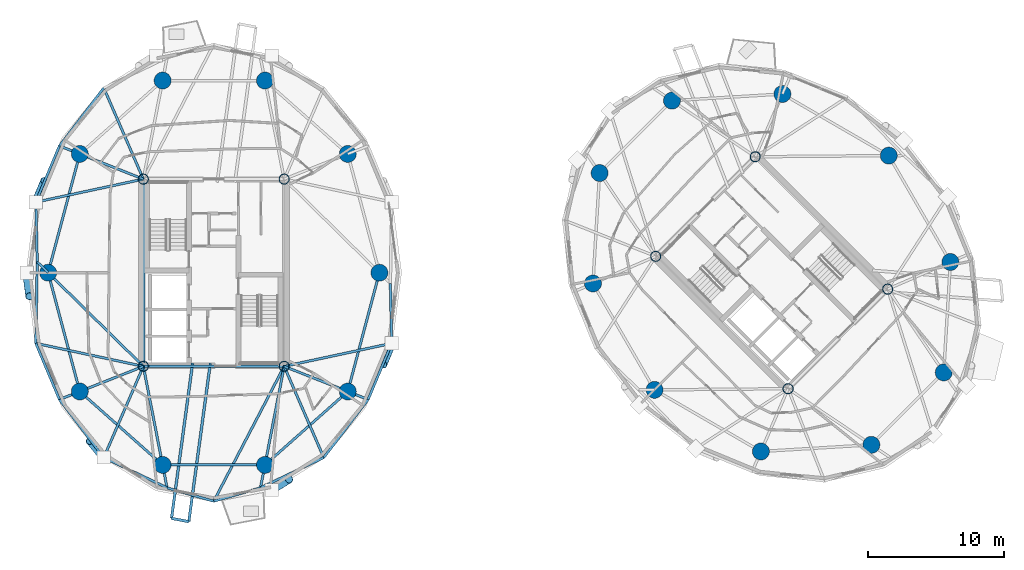
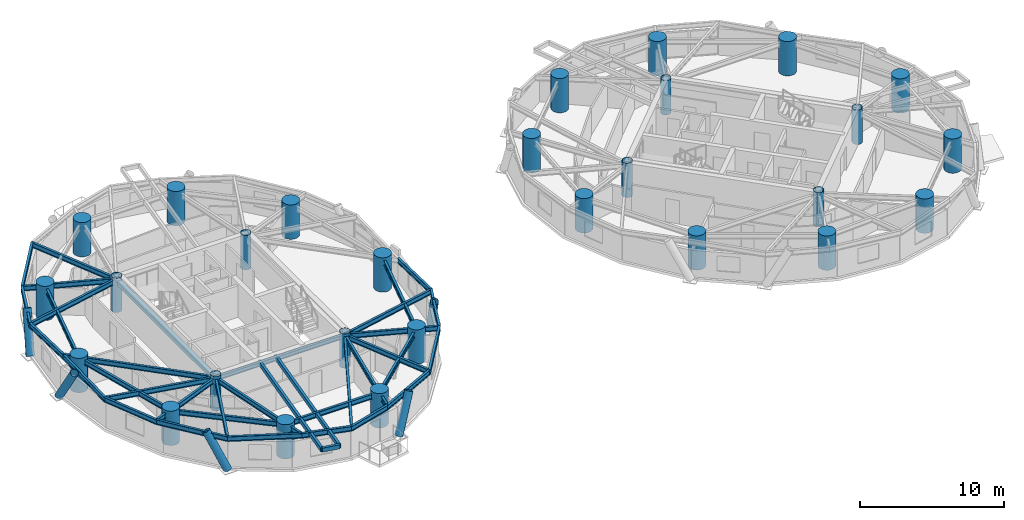
# One storey, part 1 of 18: 38 beams, 28 columns, 5 members.
"""IFC4 building model written with IfcOpenShell, lengths in metres."""

from ifc_helpers import new_model, si_unit, direction, frame, origin, origin_2d, place, context, subcontext, project, spatial, hollow_rectangle, circle, hollow_circle, i_section, extrude, material, material_profile, profile_set, type_object, element, save


model = new_model("IFC4")

# Units and contexts
model_context = context("Model", 3, precision=1e-05, world=origin(), true_north=direction((0.0, 1.0)))
body_context = subcontext(model_context, "Body", "Model", "MODEL_VIEW")
ifc_project = project(units=[si_unit("LENGTHUNIT", "METRE"), si_unit("AREAUNIT", "SQUARE_METRE"), si_unit("VOLUMEUNIT", "CUBIC_METRE"), si_unit("PLANEANGLEUNIT", "RADIAN"), si_unit("MASSUNIT", "GRAM", prefix="KILO")], contexts=[model_context])

# Site, building, storey
site_placement = place(None, origin())
site = spatial("IfcSite", under=ifc_project, at=site_placement, CompositionType="ELEMENT")
building_placement = place(site_placement, origin())
building = spatial("IfcBuilding", under=site, at=building_placement, Name="Cununo Teusaquillo Station Towers", CompositionType="ELEMENT")
storey_placement = place(building_placement, frame((0.0, 0.0, 169.06005859375)))
storey = spatial("IfcBuildingStorey", under=building, at=storey_placement, Name="L53", CompositionType="ELEMENT", Elevation=169.06005859375)

# Columns
ifc_material_1 = material(Name="Steel EN 10025-2 S355J2", Category="steel")
ifc_material_profile_1 = material_profile(ifc_material_1, hollow_circle(Radius=0.3798828125, WallThickness=0.031982421875, at=origin_2d()), Name="CHS 760x32")
ifc_profile_set_1 = profile_set([ifc_material_profile_1], Name="Steel EN 10025-2 S355J2")
column_type_1 = type_object("IfcColumnType", Name="COL-CORE-Z2", PredefinedType="COLUMN", material=ifc_profile_set_1)
for number, where, z_axis, x_axis, name in (
    (1, (11.324951171875, 17.6201171875, 0.0), (0.0, 0.0, 1.0), (1.0, 0.0, 0.0), "L53 Tower A Core Column 1"),
    (2, (11.324951171875, 31.3798828125, 0.0), (0.0, 0.0, 1.0), (1.0, 0.0, 0.0), "L53 Tower A Core Column 2"),
    (3, (21.675048828125, 17.6201171875, 0.0), (0.0, 0.0, 1.0), (1.0, 0.0, 0.0), "L53 Tower A Core Column 3"),
    (4, (21.675048828125, 31.3798828125, 0.0), (0.0, 0.0, 1.0), (1.0, 0.0, 0.0), "L53 Tower A Core Column 4"),
    (5, (58.70556640625, 15.975830078125, 0.0), (0.0, 0.0, 1.0), (0.707106781187, 0.707106781187, 0.0), "L53 Tower B Core Column 1"),
    (6, (48.975830078125, 25.70556640625, 0.0), (0.0, 0.0, 1.0), (0.707106781187, 0.707106781187, 0.0), "L53 Tower B Core Column 2"),
    (7, (66.024169921875, 23.29443359375, 0.0), (0.0, 0.0, 1.0), (0.707106781187, 0.707106781187, 0.0), "L53 Tower B Core Column 3"),
    (8, (56.29443359375, 33.024169921875, 0.0), (0.0, 0.0, 1.0), (0.707106781187, 0.707106781187, 0.0), "L53 Tower B Core Column 4"),
):
    element("IfcColumn", number, at=place(storey_placement, frame(where, z_axis=z_axis, x_axis=x_axis)), inside=storey, type_object=column_type_1, Name=name, PredefinedType="COLUMN", context=body_context, shape_type="SweptSolid", body=[
        extrude(hollow_circle(Radius=0.3798828125, WallThickness=0.031982421875, at=origin_2d()), origin(), (0.0, 0.0, 1.0), 2.909912109375),
    ])
ifc_material_2 = material(Name="Concrete C60/75", Category="concrete")
ifc_material_profile_2 = material_profile(ifc_material_2, circle(Radius=0.625, at=origin_2d()), Name="RC-CIRC-1250")
ifc_profile_set_2 = profile_set([ifc_material_profile_2], Name="Concrete C60/75")
column_type_2 = type_object("IfcColumnType", Name="COL-MEGA-Z3", PredefinedType="USERDEFINED", material=ifc_profile_set_2)
for number, where, z_axis, x_axis, name in (
    (9, (28.672119140625, 24.5, 0.0), (0.0, 0.0, 1.0), (1.0, 0.0, 0.0), "L53 Tower A Perimeter Column V00"),
    (10, (26.347412109375, 33.228515625, 0.0), (0.0, 0.0, 1.0), (1.0, 0.0, 0.0), "L53 Tower A Perimeter Column V02"),
    (11, (20.261474609375, 38.623291015625, 0.0), (0.0, 0.0, 1.0), (1.0, 0.0, 0.0), "L53 Tower A Perimeter Column V04"),
    (12, (12.738525390625, 38.623291015625, 0.0), (0.0, 0.0, 1.0), (1.0, 0.0, 0.0), "L53 Tower A Perimeter Column V06"),
    (13, (6.652587890625, 33.228515625, 0.0), (0.0, 0.0, 1.0), (1.0, 0.0, 0.0), "L53 Tower A Perimeter Column V08"),
    (14, (4.327880859375, 24.5, 0.0), (0.0, 0.0, 1.0), (1.0, 0.0, 0.0), "L53 Tower A Perimeter Column V10"),
    (15, (6.652587890625, 15.771484375, 0.0), (0.0, 0.0, 1.0), (1.0, 0.0, 0.0), "L53 Tower A Perimeter Column V12"),
    (16, (12.738525390625, 10.376708984375, 0.0), (0.0, 0.0, 1.0), (1.0, 0.0, 0.0), "L53 Tower A Perimeter Column V14"),
    (17, (20.261474609375, 10.376708984375, 0.0), (0.0, 0.0, 1.0), (1.0, 0.0, 0.0), "L53 Tower A Perimeter Column V16"),
    (18, (26.347412109375, 15.771484375, 0.0), (0.0, 0.0, 1.0), (1.0, 0.0, 0.0), "L53 Tower A Perimeter Column V18"),
    (19, (66.10693359375, 33.10693359375, 0.0), (0.0, 0.0, 1.0), (1.0, 0.0, 0.0), "L53 Tower B Perimeter Column V00"),
    (20, (58.291015625, 37.63525390625, 0.0), (0.0, 0.0, 1.0), (1.0, 0.0, 0.0), "L53 Tower B Perimeter Column V02"),
    (21, (50.173095703125, 37.146240234375, 0.0), (0.0, 0.0, 1.0), (1.0, 0.0, 0.0), "L53 Tower B Perimeter Column V04"),
    (22, (44.853759765625, 31.826904296875, 0.0), (0.0, 0.0, 1.0), (1.0, 0.0, 0.0), "L53 Tower B Perimeter Column V06"),
    (23, (44.36474609375, 23.708984375, 0.0), (0.0, 0.0, 1.0), (1.0, 0.0, 0.0), "L53 Tower B Perimeter Column V08"),
    (24, (48.89306640625, 15.89306640625, 0.0), (0.0, 0.0, 1.0), (1.0, 0.0, 0.0), "L53 Tower B Perimeter Column V10"),
    (25, (56.708984375, 11.36474609375, 0.0), (0.0, 0.0, 1.0), (1.0, 0.0, 0.0), "L53 Tower B Perimeter Column V12"),
    (26, (64.826904296875, 11.853759765625, 0.0), (0.0, 0.0, 1.0), (1.0, 0.0, 0.0), "L53 Tower B Perimeter Column V14"),
    (27, (70.146240234375, 17.173095703125, 0.0), (0.0, 0.0, 1.0), (1.0, 0.0, 0.0), "L53 Tower B Perimeter Column V16"),
    (28, (70.63525390625, 25.291015625, 0.0), (0.0, 0.0, 1.0), (1.0, 0.0, 0.0), "L53 Tower B Perimeter Column V18"),
):
    element("IfcColumn", number, at=place(storey_placement, frame(where, z_axis=z_axis, x_axis=x_axis)), inside=storey, type_object=column_type_2, Name=name, ObjectType="MEGA COLUMN", PredefinedType="USERDEFINED", context=body_context, shape_type="SweptSolid", body=[
        extrude(circle(Radius=0.625, at=origin_2d()), origin(), (0.0, 0.0, 1.0), 2.909912109375),
    ])

# Beams
ifc_material_3 = material(Name="Steel EN 10025-2 S355J2", Category="steel")
ifc_material_profile_3 = material_profile(ifc_material_3, hollow_rectangle(XDim=0.199951171875, YDim=0.35009765625, WallThickness=0.013916015625, at=origin_2d()), Name="RHS 350x200x14")
ifc_profile_set_3 = profile_set([ifc_material_profile_3], Name="Steel EN 10025-2 S355J2")
beam_type_1 = type_object("IfcBeamType", Name="BM-BAL-CANT", PredefinedType="BEAM", material=ifc_profile_set_3)
beam_1_placement = place(storey_placement, frame((14.94482421875, 17.85009765625, 2.514892578125), z_axis=(-0.134626438315, -0.990896423501, 0.0), x_axis=(0.990896423501, -0.134626438315, 0.0)))
element("IfcBeam", 29, at=beam_1_placement, inside=storey, type_object=beam_type_1, Name="L53 Tower A Balcony Cantilever Bracket 2A", PredefinedType="BEAM", context=body_context, shape_type="SweptSolid", body=[
    extrude(hollow_rectangle(XDim=0.199951171875, YDim=0.35009765625, WallThickness=0.013916015625, at=origin_2d()), origin(), (0.0, 0.0, 1.0), 11.504638671875),
])
beam_2_placement = place(storey_placement, frame((16.248046875, 17.85009765625, 2.514892578125), z_axis=(-0.134615370715, -0.990897927118, 0.0), x_axis=(0.990897927118, -0.134615370715, 0.0)))
element("IfcBeam", 30, at=beam_2_placement, inside=storey, type_object=beam_type_1, Name="L53 Tower A Balcony Cantilever Bracket 2B", PredefinedType="BEAM", context=body_context, shape_type="SweptSolid", body=[
    extrude(hollow_rectangle(XDim=0.199951171875, YDim=0.35009765625, WallThickness=0.013916015625, at=origin_2d()), origin(), (0.0, 0.0, 1.0), 11.752197265625),
])
ifc_material_4 = material(Name="Steel EN 10025-2 S355J2", Category="steel")
ifc_material_profile_4 = material_profile(ifc_material_4, hollow_rectangle(XDim=0.25, YDim=0.449951171875, WallThickness=0.01611328125, at=origin_2d()), Name="RHS 450x250x16")
ifc_profile_set_4 = profile_set([ifc_material_profile_4], Name="Steel EN 10025-2 S355J2")
beam_type_2 = type_object("IfcBeamType", Name="BM-COUP-1", PredefinedType="USERDEFINED", material=ifc_profile_set_4)
beam_3_placement = place(storey_placement, frame((11.324951171875, 17.6201171875, 2.46484375), z_axis=(0.0, 1.0, 0.0), x_axis=(-1.0, 0.0, 0.0)))
element("IfcBeam", 31, at=beam_3_placement, inside=storey, type_object=beam_type_2, Name="L53 Tower A Core Beam 1", ObjectType="COUPLING BEAM", PredefinedType="USERDEFINED", context=body_context, shape_type="SweptSolid", body=[
    extrude(hollow_rectangle(XDim=0.25, YDim=0.449951171875, WallThickness=0.01611328125, at=origin_2d()), origin(), (0.0, 0.0, 1.0), 13.759765625),
])
ifc_material_5 = material(Name="Steel ASTM A572 Grade 50", Category="steel")
ifc_material_profile_5 = material_profile(ifc_material_5, i_section(OverallWidth=0.180908203125, OverallDepth=0.4169921875, WebThickness=0.010986328125, FlangeThickness=0.018310546875, FilletRadius=0.012939453125, at=origin_2d()), Name="W16X57")
ifc_profile_set_5 = profile_set([ifc_material_profile_5], Name="Steel ASTM A572 Grade 50")
beam_type_3 = type_object("IfcBeamType", Name="BM-JOIST-1", PredefinedType="JOIST", material=ifc_profile_set_5)
beam_4_placement = place(storey_placement, frame((11.324951171875, 31.3798828125, 2.4814453125), z_axis=(-0.397903718051, 0.917427180304, 0.0), x_axis=(-0.917427180304, -0.397903718051, 0.0)))
element("IfcBeam", 32, at=beam_4_placement, inside=storey, type_object=beam_type_3, Name="L53 Tower A Radial Spandrel Joist V07", PredefinedType="JOIST", context=body_context, shape_type="SweptSolid", body=[
    extrude(i_section(OverallWidth=0.180908203125, OverallDepth=0.4169921875, WebThickness=0.010986328125, FlangeThickness=0.018310546875, FilletRadius=0.012939453125, at=origin_2d()), origin(), (0.0, 0.0, 1.0), 7.306884765625),
])
for number, where, z_axis, x_axis, name in (
    (33, (11.324951171875, 31.3798828125, 2.4814453125), (-0.977854548984, -0.209285644589, 0.0), (0.209285644589, -0.977854548984, 0.0), "L53 Tower A Radial Spandrel Joist V09"),
    (34, (11.324951171875, 17.6201171875, 2.4814453125), (-0.977854548984, 0.209285644589, 0.0), (-0.209285644589, -0.977854548984, 0.0), "L53 Tower A Radial Spandrel Joist V11"),
):
    element("IfcBeam", number, at=place(storey_placement, frame(where, z_axis=z_axis, x_axis=x_axis)), inside=storey, type_object=beam_type_3, Name=name, PredefinedType="JOIST", context=body_context, shape_type="SweptSolid", body=[
        extrude(i_section(OverallWidth=0.180908203125, OverallDepth=0.4169921875, WebThickness=0.010986328125, FlangeThickness=0.018310546875, FilletRadius=0.012939453125, at=origin_2d()), origin(), (0.0, 0.0, 1.0), 8.081787109375),
    ])
beam_5_placement = place(storey_placement, frame((11.324951171875, 17.6201171875, 2.4814453125), z_axis=(-0.397903718051, -0.917427180304, 0.0), x_axis=(0.917427180304, -0.397903718051, 0.0)))
element("IfcBeam", 35, at=beam_5_placement, inside=storey, type_object=beam_type_3, Name="L53 Tower A Radial Spandrel Joist V13", PredefinedType="JOIST", context=body_context, shape_type="SweptSolid", body=[
    extrude(i_section(OverallWidth=0.180908203125, OverallDepth=0.4169921875, WebThickness=0.010986328125, FlangeThickness=0.018310546875, FilletRadius=0.012939453125, at=origin_2d()), origin(), (0.0, 0.0, 1.0), 7.306884765625),
])
beam_6_placement = place(storey_placement, frame((21.675048828125, 17.6201171875, 2.4814453125), z_axis=(-0.462884645231, -0.886418527113, 0.0), x_axis=(0.886418527113, -0.462884645231, 0.0)))
element("IfcBeam", 36, at=beam_6_placement, inside=storey, type_object=beam_type_3, Name="L53 Tower A Radial Spandrel Joist V15", PredefinedType="JOIST", context=body_context, shape_type="SweptSolid", body=[
    extrude(i_section(OverallWidth=0.180908203125, OverallDepth=0.4169921875, WebThickness=0.010986328125, FlangeThickness=0.018310546875, FilletRadius=0.012939453125, at=origin_2d()), origin(), (0.0, 0.0, 1.0), 11.179931640625),
])
beam_7_placement = place(storey_placement, frame((21.675048828125, 17.6201171875, 2.4814453125), z_axis=(0.397903718051, -0.917427180304, 0.0), x_axis=(0.917427180304, 0.397903718051, 0.0)))
element("IfcBeam", 37, at=beam_7_placement, inside=storey, type_object=beam_type_3, Name="L53 Tower A Radial Spandrel Joist V17", PredefinedType="JOIST", context=body_context, shape_type="SweptSolid", body=[
    extrude(i_section(OverallWidth=0.180908203125, OverallDepth=0.4169921875, WebThickness=0.010986328125, FlangeThickness=0.018310546875, FilletRadius=0.012939453125, at=origin_2d()), origin(), (0.0, 0.0, 1.0), 7.306884765625),
])
beam_8_placement = place(storey_placement, frame((21.675048828125, 17.6201171875, 2.4814453125), z_axis=(0.977854548984, 0.209285644589, 0.0), x_axis=(-0.209285644589, 0.977854548984, 0.0)))
element("IfcBeam", 38, at=beam_8_placement, inside=storey, type_object=beam_type_3, Name="L53 Tower A Radial Spandrel Joist V19", PredefinedType="JOIST", context=body_context, shape_type="SweptSolid", body=[
    extrude(i_section(OverallWidth=0.180908203125, OverallDepth=0.4169921875, WebThickness=0.010986328125, FlangeThickness=0.018310546875, FilletRadius=0.012939453125, at=origin_2d()), origin(), (0.0, 0.0, 1.0), 8.081787109375),
])
ifc_material_6 = material(Name="Steel ASTM A572 Grade 50", Category="steel")
ifc_material_profile_6 = material_profile(ifc_material_6, i_section(OverallWidth=0.2041015625, OverallDepth=0.35009765625, WebThickness=0.008544921875, FlangeThickness=0.01513671875, FilletRadius=0.011962890625, at=origin_2d()), Name="W14X48")
ifc_profile_set_6 = profile_set([ifc_material_profile_6], Name="Steel ASTM A572 Grade 50")
beam_type_4 = type_object("IfcBeamType", Name="BM-LINTEL-1", PredefinedType="LINTEL", material=ifc_profile_set_6)
beam_9_placement = place(storey_placement, frame((11.324951171875, 17.6201171875, 2.514892578125), z_axis=(1.0, 0.0, 0.0), x_axis=(0.0, 1.0, 0.0)))
element("IfcBeam", 39, at=beam_9_placement, inside=storey, type_object=beam_type_4, Name="L53 Tower A Core Beam 3", PredefinedType="LINTEL", context=body_context, shape_type="SweptSolid", body=[
    extrude(i_section(OverallWidth=0.2041015625, OverallDepth=0.35009765625, WebThickness=0.008544921875, FlangeThickness=0.01513671875, FilletRadius=0.011962890625, at=origin_2d()), origin(), (0.0, 0.0, 1.0), 10.35009765625),
])
ifc_material_7 = material(Name="Steel ASTM A572 Grade 50", Category="steel")
ifc_material_profile_7 = material_profile(ifc_material_7, i_section(OverallWidth=0.180908203125, OverallDepth=0.4169921875, WebThickness=0.010986328125, FlangeThickness=0.018310546875, FilletRadius=0.012939453125, at=origin_2d()), Name="W16X57")
ifc_profile_set_7 = profile_set([ifc_material_profile_7], Name="Steel ASTM A572 Grade 50")
beam_type_5 = type_object("IfcBeamType", Name="BM-RAD-G2", PredefinedType="BEAM", material=ifc_profile_set_7)
beam_10_placement = place(storey_placement, frame((11.324951171875, 31.3798828125, 2.4814453125), z_axis=(-0.929866438974, 0.367897275974, 0.0), x_axis=(-0.367897275974, -0.929866438974, 0.0)))
element("IfcBeam", 40, at=beam_10_placement, inside=storey, type_object=beam_type_5, Name="L53 Tower A Continuous Overhanging Radial Girder 05", PredefinedType="BEAM", context=body_context, shape_type="SweptSolid", body=[
    extrude(i_section(OverallWidth=0.180908203125, OverallDepth=0.4169921875, WebThickness=0.010986328125, FlangeThickness=0.018310546875, FilletRadius=0.012939453125, at=origin_2d()), origin(), (0.0, 0.0, 1.0), 6.632080078125),
])
beam_11_placement = place(storey_placement, frame((11.324951171875, 17.6201171875, 2.4814453125), z_axis=(-0.713052701438, 0.701110437073, 0.0), x_axis=(-0.701110437073, -0.713052701438, 0.0)))
element("IfcBeam", 41, at=beam_11_placement, inside=storey, type_object=beam_type_5, Name="L53 Tower A Radial Girder 06A", PredefinedType="BEAM", context=body_context, shape_type="SweptSolid", body=[
    extrude(i_section(OverallWidth=0.180908203125, OverallDepth=0.4169921875, WebThickness=0.010986328125, FlangeThickness=0.018310546875, FilletRadius=0.012939453125, at=origin_2d()), origin(), (0.0, 0.0, 1.0), 9.812744140625),
])
beam_12_placement = place(storey_placement, frame((4.327880859375, 24.5, 2.4814453125), z_axis=(-0.713045362701, 0.701117900734, 0.0), x_axis=(-0.701117900734, -0.713045362701, 0.0)))
element("IfcBeam", 42, at=beam_12_placement, inside=storey, type_object=beam_type_5, Name="L53 Tower A Perimeter Overhang Girder 06B", PredefinedType="BEAM", context=body_context, shape_type="SweptSolid", body=[
    extrude(i_section(OverallWidth=0.180908203125, OverallDepth=0.4169921875, WebThickness=0.010986328125, FlangeThickness=0.018310546875, FilletRadius=0.012939453125, at=origin_2d()), origin(), (0.0, 0.0, 1.0), 1.125732421875),
])
beam_13_placement = place(storey_placement, frame((11.324951171875, 17.6201171875, 2.4814453125), z_axis=(-0.929866438974, -0.367897275974, 0.0), x_axis=(0.367897275974, -0.929866438974, 0.0)))
element("IfcBeam", 43, at=beam_13_placement, inside=storey, type_object=beam_type_5, Name="L53 Tower A Continuous Overhanging Radial Girder 07", PredefinedType="BEAM", context=body_context, shape_type="SweptSolid", body=[
    extrude(i_section(OverallWidth=0.180908203125, OverallDepth=0.4169921875, WebThickness=0.010986328125, FlangeThickness=0.018310546875, FilletRadius=0.012939453125, at=origin_2d()), origin(), (0.0, 0.0, 1.0), 6.632080078125),
])
for number, where, z_axis, x_axis, name in (
    (44, (11.324951171875, 17.6201171875, 2.4814453125), (0.191557018874, -0.981481486591, 0.0), (0.981481486591, 0.191557018874, 0.0), "L53 Tower A Continuous Overhanging Radial Girder 08"),
    (45, (21.675048828125, 17.6201171875, 2.4814453125), (-0.191557018874, -0.981481486591, 0.0), (0.981481486591, -0.191557018874, 0.0), "L53 Tower A Continuous Overhanging Radial Girder 09"),
):
    element("IfcBeam", number, at=place(storey_placement, frame(where, z_axis=z_axis, x_axis=x_axis)), inside=storey, type_object=beam_type_5, Name=name, PredefinedType="BEAM", context=body_context, shape_type="SweptSolid", body=[
        extrude(i_section(OverallWidth=0.180908203125, OverallDepth=0.4169921875, WebThickness=0.010986328125, FlangeThickness=0.018310546875, FilletRadius=0.012939453125, at=origin_2d()), origin(), (0.0, 0.0, 1.0), 9.097412109375),
    ])
beam_14_placement = place(storey_placement, frame((21.675048828125, 17.6201171875, 2.4814453125), z_axis=(0.929866438974, -0.367897275974, 0.0), x_axis=(0.367897275974, 0.929866438974, 0.0)))
element("IfcBeam", 46, at=beam_14_placement, inside=storey, type_object=beam_type_5, Name="L53 Tower A Continuous Overhanging Radial Girder 10", PredefinedType="BEAM", context=body_context, shape_type="SweptSolid", body=[
    extrude(i_section(OverallWidth=0.180908203125, OverallDepth=0.4169921875, WebThickness=0.010986328125, FlangeThickness=0.018310546875, FilletRadius=0.012939453125, at=origin_2d()), origin(), (0.0, 0.0, 1.0), 6.632080078125),
])
ifc_material_8 = material(Name="Steel ASTM A572 Grade 50", Category="steel")
ifc_material_profile_8 = material_profile(ifc_material_8, i_section(OverallWidth=0.180908203125, OverallDepth=0.4169921875, WebThickness=0.010986328125, FlangeThickness=0.018310546875, FilletRadius=0.012939453125, at=origin_2d()), Name="W16X57")
ifc_profile_set_8 = profile_set([ifc_material_profile_8], Name="Steel ASTM A572 Grade 50")
beam_type_6 = type_object("IfcBeamType", Name="BM-RING-Z3", PredefinedType="SPANDREL", material=ifc_profile_set_8)
for number, where, z_axis, x_axis, name in (
    (47, (6.652587890625, 33.228515625, 2.4814453125), (-0.257363196347, -0.966314744359, 0.0), (0.966314744359, -0.257363196347, 0.0), "L53 Tower A Structural Column Ring Girder 05"),
    (48, (4.327880859375, 24.5, 2.4814453125), (0.257363196347, -0.966314744359, 0.0), (0.966314744359, 0.257363196347, 0.0), "L53 Tower A Structural Column Ring Girder 06"),
):
    element("IfcBeam", number, at=place(storey_placement, frame(where, z_axis=z_axis, x_axis=x_axis)), inside=storey, type_object=beam_type_6, Name=name, PredefinedType="SPANDREL", context=body_context, shape_type="SweptSolid", body=[
        extrude(i_section(OverallWidth=0.180908203125, OverallDepth=0.4169921875, WebThickness=0.010986328125, FlangeThickness=0.018310546875, FilletRadius=0.012939453125, at=origin_2d()), origin(), (0.0, 0.0, 1.0), 9.03271484375),
    ])
beam_15_placement = place(storey_placement, frame((6.652587890625, 15.771484375, 2.4814453125), z_axis=(0.74832120039, -0.66333655187, 0.0), x_axis=(0.66333655187, 0.74832120039, 0.0)))
element("IfcBeam", 49, at=beam_15_placement, inside=storey, type_object=beam_type_6, Name="L53 Tower A Structural Column Ring Girder 07", PredefinedType="SPANDREL", context=body_context, shape_type="SweptSolid", body=[
    extrude(i_section(OverallWidth=0.180908203125, OverallDepth=0.4169921875, WebThickness=0.010986328125, FlangeThickness=0.018310546875, FilletRadius=0.012939453125, at=origin_2d()), origin(), (0.0, 0.0, 1.0), 8.1328125),
])
beam_16_placement = place(storey_placement, frame((12.738525390625, 10.376708984375, 2.4814453125), z_axis=(1.0, 0.0, 0.0), x_axis=(0.0, 1.0, 0.0)))
element("IfcBeam", 50, at=beam_16_placement, inside=storey, type_object=beam_type_6, Name="L53 Tower A Structural Column Ring Girder 08", PredefinedType="SPANDREL", context=body_context, shape_type="SweptSolid", body=[
    extrude(i_section(OverallWidth=0.180908203125, OverallDepth=0.4169921875, WebThickness=0.010986328125, FlangeThickness=0.018310546875, FilletRadius=0.012939453125, at=origin_2d()), origin(), (0.0, 0.0, 1.0), 7.52294921875),
])
beam_17_placement = place(storey_placement, frame((20.261474609375, 10.376708984375, 2.4814453125), z_axis=(0.74832120039, 0.66333655187, 0.0), x_axis=(-0.66333655187, 0.74832120039, 0.0)))
element("IfcBeam", 51, at=beam_17_placement, inside=storey, type_object=beam_type_6, Name="L53 Tower A Structural Column Ring Girder 09", PredefinedType="SPANDREL", context=body_context, shape_type="SweptSolid", body=[
    extrude(i_section(OverallWidth=0.180908203125, OverallDepth=0.4169921875, WebThickness=0.010986328125, FlangeThickness=0.018310546875, FilletRadius=0.012939453125, at=origin_2d()), origin(), (0.0, 0.0, 1.0), 8.1328125),
])
beam_18_placement = place(storey_placement, frame((26.347412109375, 15.771484375, 2.4814453125), z_axis=(0.257363196347, 0.966314744359, 0.0), x_axis=(-0.966314744359, 0.257363196347, 0.0)))
element("IfcBeam", 52, at=beam_18_placement, inside=storey, type_object=beam_type_6, Name="L53 Tower A Structural Column Ring Girder 10", PredefinedType="SPANDREL", context=body_context, shape_type="SweptSolid", body=[
    extrude(i_section(OverallWidth=0.180908203125, OverallDepth=0.4169921875, WebThickness=0.010986328125, FlangeThickness=0.018310546875, FilletRadius=0.012939453125, at=origin_2d()), origin(), (0.0, 0.0, 1.0), 9.03271484375),
])
beam_19_placement = place(storey_placement, frame((8.41748046875, 38.08349609375, 2.4814453125), z_axis=(-0.607340349092, -0.794441753916, 0.0), x_axis=(0.794441753916, -0.607340349092, 0.0)))
element("IfcBeam", 53, at=beam_19_placement, inside=storey, type_object=beam_type_6, Name="L53 Tower A Spandrel Ring Beam 08", PredefinedType="SPANDREL", context=body_context, shape_type="SweptSolid", body=[
    extrude(i_section(OverallWidth=0.180908203125, OverallDepth=0.4169921875, WebThickness=0.010986328125, FlangeThickness=0.018310546875, FilletRadius=0.012939453125, at=origin_2d()), origin(), (0.0, 0.0, 1.0), 5.366943359375),
])
beam_20_placement = place(storey_placement, frame((5.157958984375, 33.81982421875, 2.4814453125), z_axis=(-0.387360300858, -0.921928412253, 0.0), x_axis=(0.921928412253, -0.387360300858, 0.0)))
element("IfcBeam", 54, at=beam_20_placement, inside=storey, type_object=beam_type_6, Name="L53 Tower A Spandrel Ring Beam 09", PredefinedType="SPANDREL", context=body_context, shape_type="SweptSolid", body=[
    extrude(i_section(OverallWidth=0.180908203125, OverallDepth=0.4169921875, WebThickness=0.010986328125, FlangeThickness=0.018310546875, FilletRadius=0.012939453125, at=origin_2d()), origin(), (0.0, 0.0, 1.0), 4.481201171875),
])
beam_21_placement = place(storey_placement, frame((3.422119140625, 29.6884765625, 2.4814453125), z_axis=(0.0234133036, -0.999725871034, 0.0), x_axis=(0.999725871034, 0.0234133036, 0.0)))
element("IfcBeam", 55, at=beam_21_placement, inside=storey, type_object=beam_type_6, Name="L53 Tower A Spandrel Ring Beam 10", PredefinedType="SPANDREL", context=body_context, shape_type="SweptSolid", body=[
    extrude(i_section(OverallWidth=0.180908203125, OverallDepth=0.4169921875, WebThickness=0.010986328125, FlangeThickness=0.018310546875, FilletRadius=0.012939453125, at=origin_2d()), origin(), (0.0, 0.0, 1.0), 4.400390625),
])
beam_22_placement = place(storey_placement, frame((3.525146484375, 25.289306640625, 2.4814453125), z_axis=(-0.017232482627, -0.999851509747, 0.0), x_axis=(0.999851509747, -0.017232482627, 0.0)))
element("IfcBeam", 56, at=beam_22_placement, inside=storey, type_object=beam_type_6, Name="L53 Tower A Spandrel Ring Beam 11", PredefinedType="SPANDREL", context=body_context, shape_type="SweptSolid", body=[
    extrude(i_section(OverallWidth=0.180908203125, OverallDepth=0.4169921875, WebThickness=0.010986328125, FlangeThickness=0.018310546875, FilletRadius=0.012939453125, at=origin_2d()), origin(), (0.0, 0.0, 1.0), 5.978759765625),
])
beam_23_placement = place(storey_placement, frame((3.422119140625, 19.3115234375, 2.4814453125), z_axis=(0.387360300858, -0.921928412253, 0.0), x_axis=(0.921928412253, 0.387360300858, 0.0)))
element("IfcBeam", 57, at=beam_23_placement, inside=storey, type_object=beam_type_6, Name="L53 Tower A Spandrel Ring Beam 12", PredefinedType="SPANDREL", context=body_context, shape_type="SweptSolid", body=[
    extrude(i_section(OverallWidth=0.180908203125, OverallDepth=0.4169921875, WebThickness=0.010986328125, FlangeThickness=0.018310546875, FilletRadius=0.012939453125, at=origin_2d()), origin(), (0.0, 0.0, 1.0), 4.481201171875),
])
beam_24_placement = place(storey_placement, frame((5.157958984375, 15.18017578125, 2.4814453125), z_axis=(0.607340349092, -0.794441753916, 0.0), x_axis=(0.794441753916, 0.607340349092, 0.0)))
element("IfcBeam", 58, at=beam_24_placement, inside=storey, type_object=beam_type_6, Name="L53 Tower A Spandrel Ring Beam 13", PredefinedType="SPANDREL", context=body_context, shape_type="SweptSolid", body=[
    extrude(i_section(OverallWidth=0.180908203125, OverallDepth=0.4169921875, WebThickness=0.010986328125, FlangeThickness=0.018310546875, FilletRadius=0.012939453125, at=origin_2d()), origin(), (0.0, 0.0, 1.0), 5.366943359375),
])
beam_25_placement = place(storey_placement, frame((8.41748046875, 10.91650390625, 2.4814453125), z_axis=(0.902031610991, -0.431669981319, 0.0), x_axis=(0.431669981319, 0.902031610991, 0.0)))
element("IfcBeam", 59, at=beam_25_placement, inside=storey, type_object=beam_type_6, Name="L53 Tower A Spandrel Ring Beam 14", PredefinedType="SPANDREL", context=body_context, shape_type="SweptSolid", body=[
    extrude(i_section(OverallWidth=0.180908203125, OverallDepth=0.4169921875, WebThickness=0.010986328125, FlangeThickness=0.018310546875, FilletRadius=0.012939453125, at=origin_2d()), origin(), (0.0, 0.0, 1.0), 5.1552734375),
])
for number, where, z_axis, x_axis, name in (
    (60, (13.067626953125, 8.691162109375, 2.4814453125), (0.961485227168, -0.274856613414, 0.0), (0.274856613414, 0.961485227168, 0.0), "L53 Tower A Spandrel Ring Beam 15"),
    (61, (16.5, 7.7099609375, 2.4814453125), (0.961485227168, 0.274856613414, 0.0), (-0.274856613414, 0.961485227168, 0.0), "L53 Tower A Spandrel Ring Beam 16"),
):
    element("IfcBeam", number, at=place(storey_placement, frame(where, z_axis=z_axis, x_axis=x_axis)), inside=storey, type_object=beam_type_6, Name=name, PredefinedType="SPANDREL", context=body_context, shape_type="SweptSolid", body=[
        extrude(i_section(OverallWidth=0.180908203125, OverallDepth=0.4169921875, WebThickness=0.010986328125, FlangeThickness=0.018310546875, FilletRadius=0.012939453125, at=origin_2d()), origin(), (0.0, 0.0, 1.0), 3.56982421875),
    ])
beam_26_placement = place(storey_placement, frame((19.932373046875, 8.691162109375, 2.4814453125), z_axis=(0.902031610991, 0.431669981319, 0.0), x_axis=(-0.431669981319, 0.902031610991, 0.0)))
element("IfcBeam", 62, at=beam_26_placement, inside=storey, type_object=beam_type_6, Name="L53 Tower A Spandrel Ring Beam 17", PredefinedType="SPANDREL", context=body_context, shape_type="SweptSolid", body=[
    extrude(i_section(OverallWidth=0.180908203125, OverallDepth=0.4169921875, WebThickness=0.010986328125, FlangeThickness=0.018310546875, FilletRadius=0.012939453125, at=origin_2d()), origin(), (0.0, 0.0, 1.0), 5.1552734375),
])
beam_27_placement = place(storey_placement, frame((24.58251953125, 10.91650390625, 2.4814453125), z_axis=(0.607340349092, 0.794441753916, 0.0), x_axis=(-0.794441753916, 0.607340349092, 0.0)))
element("IfcBeam", 63, at=beam_27_placement, inside=storey, type_object=beam_type_6, Name="L53 Tower A Spandrel Ring Beam 18", PredefinedType="SPANDREL", context=body_context, shape_type="SweptSolid", body=[
    extrude(i_section(OverallWidth=0.180908203125, OverallDepth=0.4169921875, WebThickness=0.010986328125, FlangeThickness=0.018310546875, FilletRadius=0.012939453125, at=origin_2d()), origin(), (0.0, 0.0, 1.0), 5.366943359375),
])
beam_28_placement = place(storey_placement, frame((27.842041015625, 15.18017578125, 2.4814453125), z_axis=(0.387360300858, 0.921928412253, 0.0), x_axis=(-0.921928412253, 0.387360300858, 0.0)))
element("IfcBeam", 64, at=beam_28_placement, inside=storey, type_object=beam_type_6, Name="L53 Tower A Spandrel Ring Beam 19", PredefinedType="SPANDREL", context=body_context, shape_type="SweptSolid", body=[
    extrude(i_section(OverallWidth=0.180908203125, OverallDepth=0.4169921875, WebThickness=0.010986328125, FlangeThickness=0.018310546875, FilletRadius=0.012939453125, at=origin_2d()), origin(), (0.0, 0.0, 1.0), 4.481201171875),
])
beam_29_placement = place(storey_placement, frame((29.577880859375, 19.3115234375, 2.4814453125), z_axis=(-0.0234133036, 0.999725871034, 0.0), x_axis=(-0.999725871034, -0.0234133036, 0.0)))
element("IfcBeam", 65, at=beam_29_placement, inside=storey, type_object=beam_type_6, Name="L53 Tower A Spandrel Ring Beam 20", PredefinedType="SPANDREL", context=body_context, shape_type="SweptSolid", body=[
    extrude(i_section(OverallWidth=0.180908203125, OverallDepth=0.4169921875, WebThickness=0.010986328125, FlangeThickness=0.018310546875, FilletRadius=0.012939453125, at=origin_2d()), origin(), (0.0, 0.0, 1.0), 4.400390625),
])
ifc_material_9 = material(Name="Steel EN 10025-2 S355J2", Category="steel")
ifc_material_profile_9 = material_profile(ifc_material_9, hollow_rectangle(XDim=0.199951171875, YDim=0.35009765625, WallThickness=0.013916015625, at=origin_2d()), Name="RHS 350x200x14")
ifc_profile_set_9 = profile_set([ifc_material_profile_9], Name="Steel EN 10025-2 S355J2")
beam_type_7 = type_object("IfcBeamType", Name="BM-STAIR-TRIM", PredefinedType="BEAM", material=ifc_profile_set_9)
beam_30_placement = place(storey_placement, frame((13.39599609375, 6.4501953125, 2.52490234375), z_axis=(0.981844538169, -0.189687381942, 0.0), x_axis=(0.189687381942, 0.981844538169, 0.0)))
element("IfcBeam", 66, at=beam_30_placement, inside=storey, type_object=beam_type_7, Name="L53 Tower A Balcony Edge Trimmer Beam 2", PredefinedType="BEAM", context=body_context, shape_type="SweptSolid", body=[
    extrude(hollow_rectangle(XDim=0.199951171875, YDim=0.35009765625, WallThickness=0.013916015625, at=origin_2d()), origin(), (0.0, 0.0, 1.0), 1.29345703125),
])

# Members
ifc_material_10 = material(Name="Steel EN 10025-2 S355J2", Category="steel")
ifc_material_profile_10 = material_profile(ifc_material_10, hollow_circle(Radius=0.304931640625, WallThickness=0.02001953125, at=origin_2d()), Name="CHS 610x20")
ifc_profile_set_10 = profile_set([ifc_material_profile_10], Name="Steel EN 10025-2 S355J2")
member_type = type_object("IfcMemberType", Name="MBR-DIAG-Z3", PredefinedType="BRACE", material=ifc_profile_set_10)
member_1_placement = place(storey_placement, frame((3.422119140625, 29.6884765625, -0.14013671875), z_axis=(0.19339870769, 0.463547540187, 0.864708400474), x_axis=(-0.922897355367, 0.38504606407, 0.0)))
element("IfcMember", 67, at=member_1_placement, inside=storey, type_object=member_type, Name="L53 Tower A Folded-Zigzag Diagrid Tube C08", PredefinedType="BRACE", context=body_context, shape_type="SweptSolid", body=[
    extrude(hollow_circle(Radius=0.304931640625, WallThickness=0.02001953125, at=origin_2d()), origin(), (0.0, 0.0, 1.0), 3.365478515625),
])
member_2_placement = place(storey_placement, frame((2.7490234375, 24.5, -0.14013671875), z_axis=(0.06613153639, -0.509766924686, 0.857767044361), x_axis=(0.991689942952, 0.128650911572, 0.0)))
element("IfcMember", 68, at=member_2_placement, inside=storey, type_object=member_type, Name="L53 Tower A Folded-Zigzag Diagrid Tube C10", PredefinedType="BRACE", context=body_context, shape_type="SweptSolid", body=[
    extrude(hollow_circle(Radius=0.304931640625, WallThickness=0.02001953125, at=origin_2d()), origin(), (0.0, 0.0, 1.0), 3.392822265625),
])
member_3_placement = place(storey_placement, frame((8.41748046875, 10.91650390625, -0.14013671875), z_axis=(-0.305352617903, 0.372833047184, 0.876216467357), x_axis=(-0.773644588877, -0.633619799329, 0.0)))
element("IfcMember", 69, at=member_3_placement, inside=storey, type_object=member_type, Name="L53 Tower A Folded-Zigzag Diagrid Tube C12", PredefinedType="BRACE", context=body_context, shape_type="SweptSolid", body=[
    extrude(hollow_circle(Radius=0.304931640625, WallThickness=0.02001953125, at=origin_2d()), origin(), (0.0, 0.0, 1.0), 3.3212890625),
])
member_4_placement = place(storey_placement, frame((20.749267578125, 8.53173828125, -0.14013671875), z_axis=(0.390029746929, 0.242632184945, 0.888260333089), x_axis=(-0.528218719344, 0.849108346758, 0.0)))
element("IfcMember", 70, at=member_4_placement, inside=storey, type_object=member_type, Name="L53 Tower A Folded-Zigzag Diagrid Tube C16", PredefinedType="BRACE", context=body_context, shape_type="SweptSolid", body=[
    extrude(hollow_circle(Radius=0.304931640625, WallThickness=0.02001953125, at=origin_2d()), origin(), (0.0, 0.0, 1.0), 3.276123046875),
])
member_5_placement = place(storey_placement, frame((29.577880859375, 19.3115234375, -0.14013671875), z_axis=(-0.19339870769, -0.463547540187, 0.864708400474), x_axis=(0.922897355367, -0.38504606407, 0.0)))
element("IfcMember", 71, at=member_5_placement, inside=storey, type_object=member_type, Name="L53 Tower A Folded-Zigzag Diagrid Tube C18", PredefinedType="BRACE", context=body_context, shape_type="SweptSolid", body=[
    extrude(hollow_circle(Radius=0.304931640625, WallThickness=0.02001953125, at=origin_2d()), origin(), (0.0, 0.0, 1.0), 3.365478515625),
])

save(model, "model.ifc")
